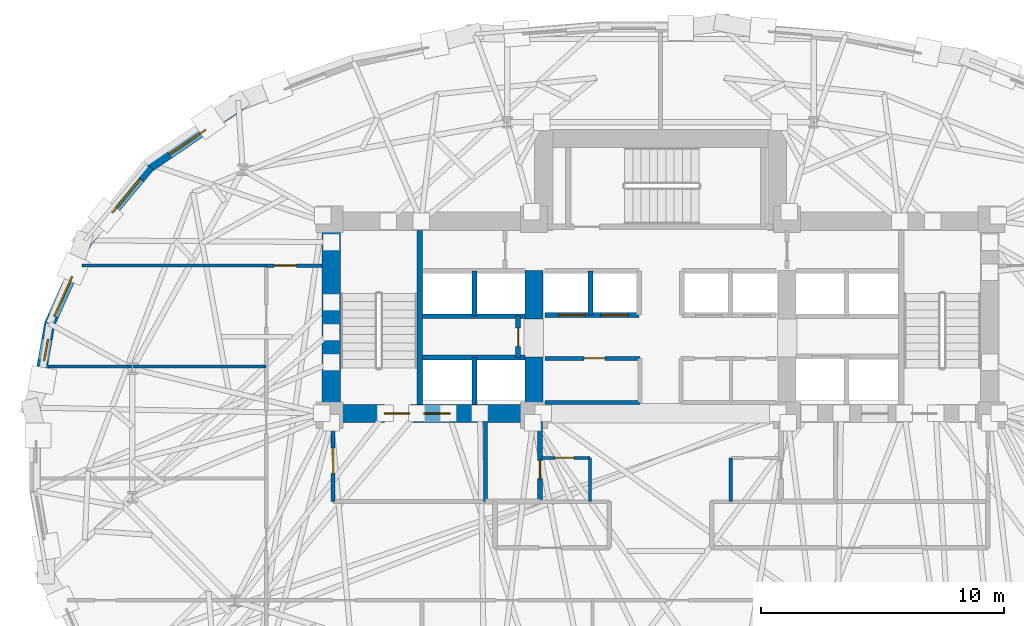
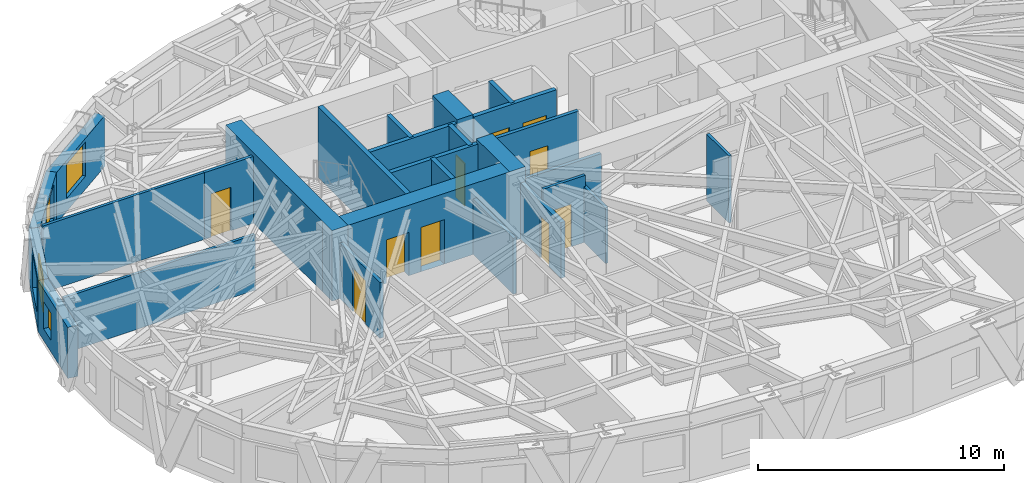
# One storey, part 7 of 14: 27 walls, 10 doors, 4 windows, 14 openings.
"""IFC4 building model written with IfcOpenShell, lengths in metres."""

from ifc_helpers import new_model, si_unit, direction, frame, frame_2d, origin, place, context, subcontext, project, spatial, rectangle, extrude, material, layer, layer_set, type_object, element, fill, save


model = new_model("IFC4")

# Units and contexts
model_context = context("Model", 3, precision=1e-05, world=origin(), true_north=direction((0.0, 1.0)))
body_context = subcontext(model_context, "Body", "Model", "MODEL_VIEW")
ifc_project = project(units=[si_unit("LENGTHUNIT", "METRE"), si_unit("AREAUNIT", "SQUARE_METRE"), si_unit("VOLUMEUNIT", "CUBIC_METRE"), si_unit("PLANEANGLEUNIT", "RADIAN"), si_unit("MASSUNIT", "GRAM", prefix="KILO")], contexts=[model_context])

# Site, building, storey
site_placement = place(None, origin())
site = spatial("IfcSite", under=ifc_project, at=site_placement, CompositionType="ELEMENT")
building_placement = place(site_placement, origin())
building = spatial("IfcBuilding", under=site, at=building_placement, Name="Keldmark Tower", CompositionType="ELEMENT")
storey_placement = place(building_placement, frame((0.0, 0.0, 124.60009765625)))
storey = spatial("IfcBuildingStorey", under=building, at=storey_placement, Name="L33", CompositionType="ELEMENT", Elevation=124.60009765625)

# Wall, opening, door
ifc_material_1 = material(Name="Acoustic Double-Layer Gypsum Corridor Partition", Category="gypsum")
ifc_layer_1 = layer(ifc_material_1, 0.139892578125)
ifc_layer_set_1 = layer_set([ifc_layer_1], Name="Acoustic Double-Layer Gypsum Corridor Partition")
wall_type_1 = type_object("IfcWallType", Name="Acoustic Corridor Partition 140 mm", PredefinedType="PARTITIONING", material=ifc_layer_set_1)
wall_1_placement = place(storey_placement, frame((-16.199951171875, 7.550048828125, 0.0), z_axis=(0.0, 0.0, 1.0), x_axis=(1.0, 0.0, 0.0)))
wall_1 = element("IfcWall", 1, at=wall_1_placement, inside=storey, type_object=wall_type_1, Name="L33 Acoustic Corridor Partition 140 mm COR-WN-CAP", PredefinedType="PARTITIONING", context=body_context, shape_type="SweptSolid", body=[
    extrude(rectangle(XDim=2.300048828125, YDim=0.139892578125, at=frame_2d((1.14990234375, 0.0))), origin(), (0.0, 0.0, 1.0), 3.309814453125),
])
opening_1_placement = place(wall_1_placement, frame((0.320068359375, 0.0, 0.0)))
opening_1 = element("IfcOpeningElement", 2, at=opening_1_placement, cuts=wall_1, Name="Opening D-EX092", PredefinedType="OPENING", context=body_context, shape_type="SweptSolid", body=[
    extrude(rectangle(XDim=0.919921875, YDim=2.14990234375, at=frame_2d((0.4599609375, 1.074951171875))), frame((0.0, 0.079833984375, 0.0), z_axis=(0.0, -1.0, 0.0), x_axis=(1.0, 0.0, 0.0)), (0.0, 0.0, 1.0), 0.159912109375),
])
ifc_material_2 = material(Name="Flush American Ash Executive Office Door", Category="wood")
door_type_1 = type_object("IfcDoorType", Name="Executive Office Door 920x2150", OperationType="NOTDEFINED", PredefinedType="DOOR", material=ifc_material_2)
door_1_placement = place(opening_1_placement, origin())
door_1 = element("IfcDoor", 3, at=door_1_placement, inside=storey, type_object=door_type_1, Name="L33 Executive Office Door 920x2150 D-NRNW-L33", OperationType="SINGLE_SWING_LEFT", OverallHeight=2.14990234375, OverallWidth=0.919921875, PredefinedType="DOOR", context=body_context, shape_type="SweptSolid", body=[
    extrude(rectangle(XDim=0.919921875, YDim=2.14990234375, at=frame_2d((0.4599609375, 1.074951171875))), frame((0.0, 0.02490234375, 0.0), z_axis=(0.0, -1.0, 0.0), x_axis=(1.0, 0.0, 0.0)), (0.0, 0.0, 1.0), 0.050048828125),
])
fill(opening_1, door_1)

ifc_material_3 = material(Name="Acoustic Gypsum Board Interior Partition", Category="gypsum")
ifc_layer_2 = layer(ifc_material_3, 0.1298828125)
ifc_layer_set_2 = layer_set([ifc_layer_2], Name="Acoustic Gypsum Board Interior Partition")
wall_type_2 = type_object("IfcWallType", Name="Interior Partition 130 mm", PredefinedType="PARTITIONING", material=ifc_layer_set_2)
wall_2_placement = place(storey_placement, frame((-4.8798828125, -0.35009765625, 0.0), z_axis=(0.0, 0.0, 1.0), x_axis=(1.0, 0.0, 0.0)))
wall_2 = element("IfcWall", 4, at=wall_2_placement, inside=storey, type_object=wall_type_2, Name="L33 Interior Partition 130 mm CSC-W-N", PredefinedType="PARTITIONING", context=body_context, shape_type="SweptSolid", body=[
    extrude(rectangle(XDim=1.989990234375, YDim=0.1298828125, at=frame_2d((0.9951171875, 0.0))), origin(), (0.0, 0.0, 1.0), 3.309814453125),
])
opening_2_placement = place(wall_2_placement, frame((0.550048828125, 0.0, 0.0)))
opening_2 = element("IfcOpeningElement", 5, at=opening_2_placement, cuts=wall_2, Name="Opening D-CL078", PredefinedType="OPENING", context=body_context, shape_type="SweptSolid", body=[
    extrude(rectangle(XDim=0.780029296875, YDim=2.10009765625, at=frame_2d((0.39013671875, 1.050048828125))), frame((0.0, 0.074951171875, 0.0), z_axis=(0.0, -1.0, 0.0), x_axis=(1.0, 0.0, 0.0)), (0.0, 0.0, 1.0), 0.14990234375),
])
ifc_material_4 = material(Name="Flush Utility Closet Timber Door", Category="wood")
door_type_2 = type_object("IfcDoorType", Name="Closet Door 780x2100", OperationType="NOTDEFINED", PredefinedType="DOOR", material=ifc_material_4)
door_2_placement = place(opening_2_placement, origin())
door_2 = element("IfcDoor", 6, at=door_2_placement, inside=storey, type_object=door_type_2, Name="L33 Closet Door 780x2100 D-CSCW1-L33", OperationType="SINGLE_SWING_RIGHT", OverallHeight=2.10009765625, OverallWidth=0.780029296875, PredefinedType="DOOR", context=body_context, shape_type="SweptSolid", body=[
    extrude(rectangle(XDim=0.780029296875, YDim=2.10009765625, at=frame_2d((0.39013671875, 1.050048828125))), frame((0.0, 0.02490234375, 0.0), z_axis=(0.0, -1.0, 0.0), x_axis=(1.0, 0.0, 0.0)), (0.0, 0.0, 1.0), 0.050048828125),
])
fill(opening_2, door_2)

# Walls
wall_3_placement = place(storey_placement, frame((-2.889892578125, -2.14990234375, 0.0), z_axis=(0.0, 0.0, 1.0), x_axis=(0.0, 1.0, 0.0)))
element("IfcWall", 7, at=wall_3_placement, inside=storey, type_object=wall_type_2, Name="L33 Interior Partition 130 mm CSC-W-E", PredefinedType="PARTITIONING", context=body_context, shape_type="SweptSolid", body=[
    extrude(rectangle(XDim=1.7998046875, YDim=0.1298828125, at=frame_2d((0.89990234375, 0.0))), origin(), (0.0, 0.0, 1.0), 2.762939453125),
])
wall_4_placement = place(storey_placement, frame((2.889892578125, -2.14990234375, 0.0), z_axis=(0.0, 0.0, 1.0), x_axis=(0.0, 1.0, 0.0)))
element("IfcWall", 8, at=wall_4_placement, inside=storey, type_object=wall_type_2, Name="L33 Interior Partition 130 mm CSC-E-W", PredefinedType="PARTITIONING", context=body_context, shape_type="SweptSolid", body=[
    extrude(rectangle(XDim=1.7998046875, YDim=0.1298828125, at=frame_2d((0.89990234375, 0.0))), origin(), (0.0, 0.0, 1.0), 3.309814453125),
])
wall_5_placement = place(storey_placement, frame((-23.768310546875, 7.550048828125, 0.0), z_axis=(0.0, 0.0, 1.0), x_axis=(1.0, 0.0, 0.0)))
element("IfcWall", 9, at=wall_5_placement, inside=storey, type_object=wall_type_2, Name="L33 Interior Partition 130 mm W-CAP-N", PredefinedType="PARTITIONING", context=body_context, shape_type="SweptSolid", body=[
    extrude(rectangle(XDim=7.568359375, YDim=0.1298828125, at=frame_2d((3.7841796875, 0.0))), origin(), (0.0, 0.0, 1.0), 3.309814453125),
])
wall_6_placement = place(storey_placement, frame((-25.176025390625, 3.39990234375, 0.0), z_axis=(0.0, 0.0, 1.0), x_axis=(1.0, 0.0, 0.0)))
element("IfcWall", 10, at=wall_6_placement, inside=storey, type_object=wall_type_2, Name="L33 Interior Partition 130 mm W-DIV-2", PredefinedType="PARTITIONING", context=body_context, shape_type="SweptSolid", body=[
    extrude(rectangle(XDim=8.97607421875, YDim=0.1298828125, at=frame_2d((4.488037109375, 0.0))), origin(), (0.0, 0.0, 1.0), 2.762939453125),
])
ifc_material_5 = material(Name="Concrete C70/85", Category="concrete")
ifc_layer_3 = layer(ifc_material_5, 0.75)
ifc_layer_set_3 = layer_set([ifc_layer_3], Name="Concrete C70/85")
wall_type_3 = type_object("IfcWallType", Name="Low-Mid Core Shear Wall 750 mm", PredefinedType="SHEAR", material=ifc_layer_set_3)
wall_7_placement = place(storey_placement, frame((-13.52490234375, 1.10009765625, 0.0), z_axis=(0.0, 0.0, 1.0), x_axis=(0.0, 1.0, 0.0)))
element("IfcWall", 11, at=wall_7_placement, inside=storey, type_object=wall_type_3, Name="L33 West Core Outer Shear Wall", PredefinedType="SHEAR", context=body_context, shape_type="SweptSolid", body=[
    extrude(rectangle(XDim=8.64990234375, YDim=0.75, at=frame_2d((4.324951171875, 0.0))), origin(), (0.0, 0.0, 1.0), 3.5),
])

# Wall, openings, doors
wall_8_placement = place(storey_placement, frame((-4.824951171875, 1.47509765625, 0.0), z_axis=(0.0, 0.0, 1.0), x_axis=(-1.0, 0.0, 0.0)))
wall_8 = element("IfcWall", 12, at=wall_8_placement, inside=storey, type_object=wall_type_3, Name="L33 West Core South Shear Wall", PredefinedType="SHEAR", context=body_context, shape_type="SweptSolid", body=[
    extrude(rectangle(XDim=9.074951171875, YDim=0.75, at=frame_2d((4.53759765625, 0.0))), origin(), (0.0, 0.0, 1.0), 3.5),
])
opening_3_placement = place(wall_8_placement, frame((5.47509765625, 0.0, 0.0)))
opening_3 = element("IfcOpeningElement", 13, at=opening_3_placement, cuts=wall_8, Name="Opening D-ST105", PredefinedType="OPENING", context=body_context, shape_type="SweptSolid", body=[
    extrude(rectangle(XDim=1.050048828125, YDim=2.14990234375, at=frame_2d((0.52490234375, 1.074951171875))), frame((0.0, 0.385009765625, 0.0), z_axis=(0.0, -1.0, 0.0), x_axis=(1.0, 0.0, 0.0)), (0.0, 0.0, 1.0), 0.77001953125),
])
opening_4_placement = place(wall_8_placement, frame((3.804931640625, 0.0, 0.0)))
opening_4 = element("IfcOpeningElement", 14, at=opening_4_placement, cuts=wall_8, Name="Opening LD-110", PredefinedType="OPENING", context=body_context, shape_type="SweptSolid", body=[
    extrude(rectangle(XDim=1.10009765625, YDim=2.199951171875, at=frame_2d((0.550048828125, 1.10009765625))), frame((0.0, 0.385009765625, 0.0), z_axis=(0.0, -1.0, 0.0), x_axis=(1.0, 0.0, 0.0)), (0.0, 0.0, 1.0), 0.77001953125),
])
ifc_material_6 = material(Name="Brushed Bronze Hoistway Sliding Leaf", Category="metal")
door_type_3 = type_object("IfcDoorType", Name="Lift Landing Sliding Door 1100x2200", OperationType="SLIDING_TO_LEFT", PredefinedType="DOOR", material=ifc_material_6)
door_3_placement = place(opening_4_placement, origin())
door_3 = element("IfcDoor", 15, at=door_3_placement, inside=storey, type_object=door_type_3, Name="L33 Lift Landing Sliding Door 1100x2200 LD-EL-FS1-L33", OperationType="SLIDING_TO_LEFT", OverallHeight=2.199951171875, OverallWidth=1.10009765625, PredefinedType="DOOR", context=body_context, shape_type="SweptSolid", body=[
    extrude(rectangle(XDim=1.10009765625, YDim=2.199951171875, at=frame_2d((0.550048828125, 1.10009765625))), frame((0.0, 0.02490234375, 0.0), z_axis=(0.0, -1.0, 0.0), x_axis=(1.0, 0.0, 0.0)), (0.0, 0.0, 1.0), 0.050048828125),
])
fill(opening_4, door_3)
ifc_material_7 = material(Name="Hollow Metal Fire-Rated Door Assembly", Category="metal")
door_type_4 = type_object("IfcDoorType", Name="Stair Fire Door 1050x2150", OperationType="NOTDEFINED", PredefinedType="DOOR", material=ifc_material_7)
door_4_placement = place(opening_3_placement, origin())
door_4 = element("IfcDoor", 16, at=door_4_placement, inside=storey, type_object=door_type_4, Name="L33 Stair Fire Door 1050x2150 D-ST1-L33", OperationType="SINGLE_SWING_RIGHT", OverallHeight=2.14990234375, OverallWidth=1.050048828125, PredefinedType="DOOR", context=body_context, shape_type="SweptSolid", body=[
    extrude(rectangle(XDim=1.050048828125, YDim=2.14990234375, at=frame_2d((0.52490234375, 1.074951171875))), frame((0.0, 0.02490234375, 0.0), z_axis=(0.0, -1.0, 0.0), x_axis=(1.0, 0.0, 0.0)), (0.0, 0.0, 1.0), 0.050048828125),
])
fill(opening_3, door_4)

# Walls
wall_9_placement = place(storey_placement, frame((-5.199951171875, 1.10009765625, 0.0), z_axis=(0.0, 0.0, 1.0), x_axis=(0.0, 1.0, 0.0)))
element("IfcWall", 17, at=wall_9_placement, inside=storey, type_object=wall_type_3, Name="L33 West Core Inner Shear Pier South", PredefinedType="SHEAR", context=body_context, shape_type="SweptSolid", body=[
    extrude(rectangle(XDim=2.699951171875, YDim=0.75, at=frame_2d((1.35009765625, 0.0))), origin(), (0.0, 0.0, 1.0), 3.5),
])
wall_10_placement = place(storey_placement, frame((-5.199951171875, 5.35009765625, 0.0), z_axis=(0.0, 0.0, 1.0), x_axis=(0.0, 1.0, 0.0)))
element("IfcWall", 18, at=wall_10_placement, inside=storey, type_object=wall_type_3, Name="L33 West Core Inner Shear Pier North", PredefinedType="SHEAR", context=body_context, shape_type="SweptSolid", body=[
    extrude(rectangle(XDim=2.0, YDim=0.75, at=frame_2d((1.0, 0.0))), origin(), (0.0, 0.0, 1.0), 3.5),
])

# Wall, opening, door
ifc_material_8 = material(Name="Type X Fire-Rated Gypsum Partition Assembly", Category="gypsum")
ifc_layer_4 = layer(ifc_material_8, 0.1650390625)
ifc_layer_set_4 = layer_set([ifc_layer_4], Name="Type X Fire-Rated Gypsum Partition Assembly")
wall_type_4 = type_object("IfcWallType", Name="Rated Partition 165 mm", PredefinedType="PARTITIONING", material=ifc_layer_set_4)
wall_11_placement = place(storey_placement, frame((-13.449951171875, -2.14990234375, 0.0), z_axis=(0.0, 0.0, 1.0), x_axis=(0.0, 1.0, 0.0)))
wall_11 = element("IfcWall", 19, at=wall_11_placement, inside=storey, type_object=wall_type_4, Name="L33 Rated Partition 165 mm FSAE-W-W", PredefinedType="PARTITIONING", context=body_context, shape_type="SweptSolid", body=[
    extrude(rectangle(XDim=3.2998046875, YDim=0.1650390625, at=frame_2d((1.64990234375, 0.0))), origin(), (0.0, 0.0, 1.0), 2.762939453125),
])
opening_5_placement = place(wall_11_placement, frame((1.14990234375, 0.0, 0.0)))
opening_5 = element("IfcOpeningElement", 20, at=opening_5_placement, cuts=wall_11, Name="Opening D-FL105", PredefinedType="OPENING", context=body_context, shape_type="SweptSolid", body=[
    extrude(rectangle(XDim=1.050048828125, YDim=2.14990234375, at=frame_2d((0.52490234375, 1.074951171875))), frame((0.0, 0.092529296875, 0.0), z_axis=(0.0, -1.0, 0.0), x_axis=(1.0, 0.0, 0.0)), (0.0, 0.0, 1.0), 0.18505859375),
])
ifc_material_9 = material(Name="Fire-Rated Mineral-Core Door and Vision Lite", Category="metal")
door_type_5 = type_object("IfcDoorType", Name="Fire Lobby Door 1050x2150", OperationType="NOTDEFINED", PredefinedType="DOOR", material=ifc_material_9)
door_5_placement = place(opening_5_placement, origin())
door_5 = element("IfcDoor", 21, at=door_5_placement, inside=storey, type_object=door_type_5, Name="L33 Fire Lobby Door 1050x2150 D-FSAEW-OUT-L33", OperationType="SINGLE_SWING_LEFT", OverallHeight=2.14990234375, OverallWidth=1.050048828125, PredefinedType="DOOR", context=body_context, shape_type="SweptSolid", body=[
    extrude(rectangle(XDim=1.050048828125, YDim=2.14990234375, at=frame_2d((0.52490234375, 1.074951171875))), frame((0.0, 0.02490234375, 0.0), z_axis=(0.0, -1.0, 0.0), x_axis=(1.0, 0.0, 0.0)), (0.0, 0.0, 1.0), 0.050048828125),
])
fill(opening_5, door_5)

# Walls
wall_12_placement = place(storey_placement, frame((-7.199951171875, -2.14990234375, 0.0), z_axis=(0.0, 0.0, 1.0), x_axis=(0.0, 1.0, 0.0)))
element("IfcWall", 22, at=wall_12_placement, inside=storey, type_object=wall_type_4, Name="L33 Rated Partition 165 mm FSAE-W-E", PredefinedType="PARTITIONING", context=body_context, shape_type="SweptSolid", body=[
    extrude(rectangle(XDim=3.2998046875, YDim=0.1650390625, at=frame_2d((1.64990234375, 0.0))), origin(), (0.0, 0.0, 1.0), 2.762939453125),
])
wall_13_placement = place(storey_placement, frame((-4.739990234375, 1.919921875, 0.0), z_axis=(0.0, 0.0, 1.0), x_axis=(1.0, 0.0, 0.0)))
element("IfcWall", 23, at=wall_13_placement, inside=storey, type_object=wall_type_4, Name="L33 Rated Partition 165 mm REC-LW-S", PredefinedType="PARTITIONING", context=body_context, shape_type="SweptSolid", body=[
    extrude(rectangle(XDim=3.889892578125, YDim=0.1650390625, at=frame_2d((1.94482421875, 0.0))), origin(), (0.0, 0.0, 1.0), 2.2998046875),
])

# Wall, opening, door
wall_14_placement = place(storey_placement, frame((-4.739990234375, 3.739990234375, 0.0), z_axis=(0.0, 0.0, 1.0), x_axis=(1.0, 0.0, 0.0)))
wall_14 = element("IfcWall", 24, at=wall_14_placement, inside=storey, type_object=wall_type_4, Name="L33 Rated Partition 165 mm REC-LW-N", PredefinedType="PARTITIONING", context=body_context, shape_type="SweptSolid", body=[
    extrude(rectangle(XDim=3.889892578125, YDim=0.1650390625, at=frame_2d((1.94482421875, 0.0))), origin(), (0.0, 0.0, 1.0), 3.309814453125),
])
opening_6_placement = place(wall_14_placement, frame((1.60009765625, 0.0, 0.0)))
opening_6 = element("IfcOpeningElement", 25, at=opening_6_placement, cuts=wall_14, Name="Opening D-SV085", PredefinedType="OPENING", context=body_context, shape_type="SweptSolid", body=[
    extrude(rectangle(XDim=0.85009765625, YDim=2.10009765625, at=frame_2d((0.425048828125, 1.050048828125))), frame((0.0, 0.092529296875, 0.0), z_axis=(0.0, -1.0, 0.0), x_axis=(1.0, 0.0, 0.0)), (0.0, 0.0, 1.0), 0.18505859375),
])
ifc_material_10 = material(Name="Painted Hollow Metal Door Assembly", Category="metal")
door_type_6 = type_object("IfcDoorType", Name="Service Door 850x2100", OperationType="NOTDEFINED", PredefinedType="DOOR", material=ifc_material_10)
door_6_placement = place(opening_6_placement, origin())
door_6 = element("IfcDoor", 26, at=door_6_placement, inside=storey, type_object=door_type_6, Name="L33 Service Door 850x2100 D-RECLW1-L33", OperationType="SINGLE_SWING_LEFT", OverallHeight=2.10009765625, OverallWidth=0.85009765625, PredefinedType="DOOR", context=body_context, shape_type="SweptSolid", body=[
    extrude(rectangle(XDim=0.85009765625, YDim=2.10009765625, at=frame_2d((0.425048828125, 1.050048828125))), frame((0.0, 0.02490234375, 0.0), z_axis=(0.0, -1.0, 0.0), x_axis=(1.0, 0.0, 0.0)), (0.0, 0.0, 1.0), 0.050048828125),
])
fill(opening_6, door_6)

ifc_material_11 = material(Name="Fire-Resistant Type X Gypsum Shaftliner Coreboard", Category="gypsum")
ifc_layer_5 = layer(ifc_material_11, 0.199951171875)
ifc_layer_set_5 = layer_set([ifc_layer_5], Name="Fire-Resistant Type X Gypsum Shaftliner Coreboard")
wall_type_5 = type_object("IfcWallType", Name="Shaft Wall 200 mm", PredefinedType="SOLIDWALL", material=ifc_layer_set_5)
wall_15_placement = place(storey_placement, frame((-4.949951171875, -2.14990234375, 0.0), z_axis=(0.0, 0.0, 1.0), x_axis=(0.0, 1.0, 0.0)))
wall_15 = element("IfcWall", 27, at=wall_15_placement, inside=storey, type_object=wall_type_5, Name="L33 Shaft Wall 200 mm RIS-SW-E", PredefinedType="SOLIDWALL", context=body_context, shape_type="SweptSolid", body=[
    extrude(rectangle(XDim=3.2998046875, YDim=0.199951171875, at=frame_2d((1.64990234375, 0.0))), origin(), (0.0, 0.0, 1.0), 2.762939453125),
])
opening_7_placement = place(wall_15_placement, frame((0.949951171875, 0.0, 0.0)))
opening_7 = element("IfcOpeningElement", 28, at=opening_7_placement, cuts=wall_15, Name="Opening D-RS075", PredefinedType="OPENING", context=body_context, shape_type="SweptSolid", body=[
    extrude(rectangle(XDim=0.75, YDim=2.10009765625, at=frame_2d((0.375, 1.050048828125))), frame((0.0, 0.10986328125, 0.0), z_axis=(0.0, -1.0, 0.0), x_axis=(1.0, 0.0, 0.0)), (0.0, 0.0, 1.0), 0.219970703125),
])
ifc_material_12 = material(Name="Galvanized Fire-Rated Access Leaf", Category="metal")
door_type_7 = type_object("IfcDoorType", Name="Riser Access Door 750x2100", OperationType="NOTDEFINED", PredefinedType="DOOR", material=ifc_material_12)
door_7_placement = place(opening_7_placement, origin())
door_7 = element("IfcDoor", 29, at=door_7_placement, inside=storey, type_object=door_type_7, Name="L33 Riser Access Door 750x2100 D-RISSW-L33", OperationType="SINGLE_SWING_RIGHT", OverallHeight=2.10009765625, OverallWidth=0.75, PredefinedType="DOOR", context=body_context, shape_type="SweptSolid", body=[
    extrude(rectangle(XDim=0.75, YDim=2.10009765625, at=frame_2d((0.375, 1.050048828125))), frame((0.0, 0.02490234375, 0.0), z_axis=(0.0, -1.0, 0.0), x_axis=(1.0, 0.0, 0.0)), (0.0, 0.0, 1.0), 0.050048828125),
])
fill(opening_7, door_7)

# Walls
wall_16_placement = place(storey_placement, frame((-9.780029296875, 3.780029296875, 0.0), z_axis=(0.0, 0.0, 1.0), x_axis=(1.0, 0.0, 0.0)))
element("IfcWall", 30, at=wall_16_placement, inside=storey, type_object=wall_type_5, Name="L33 Shaft Wall 200 mm HW-W-S", PredefinedType="SOLIDWALL", context=body_context, shape_type="SweptSolid", body=[
    extrude(rectangle(XDim=4.205078125, YDim=0.199951171875, at=frame_2d((2.1025390625, 0.0))), origin(), (0.0, 0.0, 1.0), 3.309814453125),
])
wall_17_placement = place(storey_placement, frame((-7.64990234375, 1.85009765625, 0.0), z_axis=(0.0, 0.0, 1.0), x_axis=(0.0, 1.0, 0.0)))
element("IfcWall", 31, at=wall_17_placement, inside=storey, type_object=wall_type_5, Name="L33 Shaft Wall 200 mm HW-W-M", PredefinedType="SOLIDWALL", context=body_context, shape_type="SweptSolid", body=[
    extrude(rectangle(XDim=1.929931640625, YDim=0.199951171875, at=frame_2d((0.96484375, 0.0))), origin(), (0.0, 0.0, 1.0), 3.309814453125),
])
wall_18_placement = place(storey_placement, frame((-9.780029296875, 5.469970703125, 0.0), z_axis=(0.0, 0.0, 1.0), x_axis=(1.0, 0.0, 0.0)))
element("IfcWall", 32, at=wall_18_placement, inside=storey, type_object=wall_type_5, Name="L33 Shaft Wall 200 mm HW-W-N", PredefinedType="SOLIDWALL", context=body_context, shape_type="SweptSolid", body=[
    extrude(rectangle(XDim=4.205078125, YDim=0.199951171875, at=frame_2d((2.1025390625, 0.0))), origin(), (0.0, 0.0, 1.0), 3.309814453125),
])
wall_19_placement = place(storey_placement, frame((-7.64990234375, 5.469970703125, 0.0), z_axis=(0.0, 0.0, 1.0), x_axis=(0.0, 1.0, 0.0)))
element("IfcWall", 33, at=wall_19_placement, inside=storey, type_object=wall_type_5, Name="L33 Shaft Wall 200 mm HW-W-NM", PredefinedType="SOLIDWALL", context=body_context, shape_type="SweptSolid", body=[
    extrude(rectangle(XDim=1.860107421875, YDim=0.199951171875, at=frame_2d((0.93017578125, 0.0))), origin(), (0.0, 0.0, 1.0), 3.309814453125),
])

# Wall, opening, door
wall_20_placement = place(storey_placement, frame((-5.85009765625, 3.780029296875, 0.0), z_axis=(0.0, 0.0, 1.0), x_axis=(0.0, 1.0, 0.0)))
wall_20 = element("IfcWall", 34, at=wall_20_placement, inside=storey, type_object=wall_type_5, Name="L33 Shaft Wall 200 mm HW-W-CLOSE", PredefinedType="SOLIDWALL", context=body_context, shape_type="SweptSolid", body=[
    extrude(rectangle(XDim=1.68994140625, YDim=0.199951171875, at=frame_2d((0.844970703125, 0.0))), origin(), (0.0, 0.0, 1.0), 3.309814453125),
])
opening_8_placement = place(wall_20_placement, frame((0.449951171875, 0.0, 0.0)))
opening_8 = element("IfcOpeningElement", 35, at=opening_8_placement, cuts=wall_20, Name="Opening D-RS075", PredefinedType="OPENING", context=body_context, shape_type="SweptSolid", body=[
    extrude(rectangle(XDim=0.75, YDim=2.10009765625, at=frame_2d((0.375, 1.050048828125))), frame((0.0, 0.10986328125, 0.0), z_axis=(0.0, -1.0, 0.0), x_axis=(1.0, 0.0, 0.0)), (0.0, 0.0, 1.0), 0.219970703125),
])
door_8_placement = place(opening_8_placement, origin())
door_8 = element("IfcDoor", 36, at=door_8_placement, inside=storey, type_object=door_type_7, Name="L33 Riser Access Door 750x2100 D-RISHW-L33", OperationType="SINGLE_SWING_RIGHT", OverallHeight=2.10009765625, OverallWidth=0.75, PredefinedType="DOOR", context=body_context, shape_type="SweptSolid", body=[
    extrude(rectangle(XDim=0.75, YDim=2.10009765625, at=frame_2d((0.375, 1.050048828125))), frame((0.0, 0.02490234375, 0.0), z_axis=(0.0, -1.0, 0.0), x_axis=(1.0, 0.0, 0.0)), (0.0, 0.0, 1.0), 0.050048828125),
])
fill(opening_8, door_8)

# Wall, openings, doors
wall_21_placement = place(storey_placement, frame((-4.739990234375, 5.52001953125, 0.0), z_axis=(0.0, 0.0, 1.0), x_axis=(1.0, 0.0, 0.0)))
wall_21 = element("IfcWall", 37, at=wall_21_placement, inside=storey, type_object=wall_type_5, Name="L33 Shaft Wall 200 mm MID-S-W", PredefinedType="SOLIDWALL", context=body_context, shape_type="SweptSolid", body=[
    extrude(rectangle(XDim=3.860107421875, YDim=0.199951171875, at=frame_2d((1.93017578125, 0.0))), origin(), (0.0, 0.0, 1.0), 3.309814453125),
])
opening_9_placement = place(wall_21_placement, frame((0.550048828125, 0.0, 0.0)))
opening_9 = element("IfcOpeningElement", 38, at=opening_9_placement, cuts=wall_21, Name="Opening LD-110", PredefinedType="OPENING", context=body_context, shape_type="SweptSolid", body=[
    extrude(rectangle(XDim=1.10009765625, YDim=2.199951171875, at=frame_2d((0.550048828125, 1.10009765625))), frame((0.0, 0.10986328125, 0.0), z_axis=(0.0, -1.0, 0.0), x_axis=(1.0, 0.0, 0.0)), (0.0, 0.0, 1.0), 0.219970703125),
])
opening_10_placement = place(wall_21_placement, frame((2.300048828125, 0.0, 0.0)))
opening_10 = element("IfcOpeningElement", 39, at=opening_10_placement, cuts=wall_21, Name="Opening LD-110", PredefinedType="OPENING", context=body_context, shape_type="SweptSolid", body=[
    extrude(rectangle(XDim=1.10009765625, YDim=2.199951171875, at=frame_2d((0.550048828125, 1.10009765625))), frame((0.0, 0.10986328125, 0.0), z_axis=(0.0, -1.0, 0.0), x_axis=(1.0, 0.0, 0.0)), (0.0, 0.0, 1.0), 0.219970703125),
])
door_9_placement = place(opening_9_placement, origin())
door_9 = element("IfcDoor", 40, at=door_9_placement, inside=storey, type_object=door_type_3, Name="L33 Lift Landing Sliding Door 1100x2200 LD-EL-M1-L33", OperationType="SLIDING_TO_LEFT", OverallHeight=2.199951171875, OverallWidth=1.10009765625, PredefinedType="DOOR", context=body_context, shape_type="SweptSolid", body=[
    extrude(rectangle(XDim=1.10009765625, YDim=2.199951171875, at=frame_2d((0.550048828125, 1.10009765625))), frame((0.0, 0.02490234375, 0.0), z_axis=(0.0, -1.0, 0.0), x_axis=(1.0, 0.0, 0.0)), (0.0, 0.0, 1.0), 0.050048828125),
])
fill(opening_9, door_9)
door_10_placement = place(opening_10_placement, origin())
door_10 = element("IfcDoor", 41, at=door_10_placement, inside=storey, type_object=door_type_3, Name="L33 Lift Landing Sliding Door 1100x2200 LD-EL-M2-L33", OperationType="SLIDING_TO_LEFT", OverallHeight=2.199951171875, OverallWidth=1.10009765625, PredefinedType="DOOR", context=body_context, shape_type="SweptSolid", body=[
    extrude(rectangle(XDim=1.10009765625, YDim=2.199951171875, at=frame_2d((0.550048828125, 1.10009765625))), frame((0.0, 0.02490234375, 0.0), z_axis=(0.0, -1.0, 0.0), x_axis=(1.0, 0.0, 0.0)), (0.0, 0.0, 1.0), 0.050048828125),
])
fill(opening_10, door_10)

# Walls
wall_22_placement = place(storey_placement, frame((-2.8798828125, 5.52001953125, 0.0), z_axis=(0.0, 0.0, 1.0), x_axis=(0.0, 1.0, 0.0)))
element("IfcWall", 42, at=wall_22_placement, inside=storey, type_object=wall_type_5, Name="L33 Shaft Wall 200 mm MID-M-W", PredefinedType="SOLIDWALL", context=body_context, shape_type="SweptSolid", body=[
    extrude(rectangle(XDim=1.81005859375, YDim=0.199951171875, at=frame_2d((0.905029296875, 0.0))), origin(), (0.0, 0.0, 1.0), 3.309814453125),
])
ifc_material_13 = material(Name="Concrete C50/60", Category="concrete")
ifc_layer_6 = layer(ifc_material_13, 0.219970703125)
ifc_layer_set_6 = layer_set([ifc_layer_6], Name="Concrete C50/60")
wall_type_6 = type_object("IfcWallType", Name="Stair Core Shear Wall 220 mm", PredefinedType="SHEAR", material=ifc_layer_set_6)
wall_23_placement = place(storey_placement, frame((-9.889892578125, 1.85009765625, 0.0), z_axis=(0.0, 0.0, 1.0), x_axis=(0.0, 1.0, 0.0)))
element("IfcWall", 43, at=wall_23_placement, inside=storey, type_object=wall_type_6, Name="L33 West Stair Core Shear Wall", PredefinedType="SHEAR", context=body_context, shape_type="SweptSolid", body=[
    extrude(rectangle(XDim=7.14990234375, YDim=0.219970703125, at=frame_2d((3.574951171875, 0.0))), origin(), (0.0, 0.0, 1.0), 3.5),
])

# Wall, opening, window
ifc_material_14 = material(Name="Ironspot Manganese Brick and Kasota Buff Limestone Spandrel Assembly", Category="masonry")
ifc_layer_7 = layer(ifc_material_14, 0.43994140625)
ifc_layer_set_7 = layer_set([ifc_layer_7], Name="Ironspot Manganese Brick and Kasota Buff Limestone Spandrel Assembly")
wall_type_7 = type_object("IfcWallType", Name="Tower Brick Pier and Spandrel Wall 440 mm", PredefinedType="STANDARD", material=ifc_layer_set_7)
wall_24_placement = place(storey_placement, frame((-21.02978515625, 11.587890625, 0.0), z_axis=(0.0, 0.0, 1.0), x_axis=(0.827672849676, 0.561210881852, 0.0)))
wall_24 = element("IfcWall", 44, at=wall_24_placement, inside=storey, type_object=wall_type_7, Name="L33 Exterior Brick and Spandrel Wall 12", PredefinedType="STANDARD", context=body_context, shape_type="SweptSolid", body=[
    extrude(rectangle(XDim=4.5830078125, YDim=0.43994140625, at=frame_2d((2.29150390625, 0.0))), origin(), (0.0, 0.0, 1.0), 2.52783203125),
])
opening_11_placement = place(wall_24_placement, frame((0.994384765625, 0.0, 0.64990234375)))
opening_11 = element("IfcOpeningElement", 45, at=opening_11_placement, cuts=wall_24, Name="Opening W-02", PredefinedType="OPENING", context=body_context, shape_type="SweptSolid", body=[
    extrude(rectangle(XDim=1.800048828125, YDim=1.699951171875, at=frame_2d((0.89990234375, 0.85009765625))), frame((0.0, 0.22998046875, 0.0), z_axis=(0.0, -1.0, 0.0), x_axis=(1.0, 0.0, 0.0)), (0.0, 0.0, 1.0), 0.4599609375),
])
ifc_material_15 = material(Name="Thermally Broken Anodized Aluminum and Triple Low-E Argon Glazing", Category="aluminium")
window_type_1 = type_object("IfcWindowType", Name="Office Deep-Set Triple Window 1800x1700", PartitioningType="TRIPLE_PANEL_VERTICAL", PredefinedType="WINDOW", material=ifc_material_15)
window_1_placement = place(opening_11_placement, origin())
window_1 = element("IfcWindow", 46, at=window_1_placement, inside=storey, type_object=window_type_1, Name="L33 Deep-Set Window 12", OverallHeight=1.699951171875, OverallWidth=1.800048828125, PartitioningType="SINGLE_PANEL", PredefinedType="WINDOW", context=body_context, shape_type="SweptSolid", body=[
    extrude(rectangle(XDim=1.800048828125, YDim=1.699951171875, at=frame_2d((0.89990234375, 0.85009765625))), frame((0.0, -0.010009765625, 0.0), z_axis=(0.0, -1.0, 0.0), x_axis=(1.0, 0.0, 0.0)), (0.0, 0.0, 1.0), 0.06005859375),
])
fill(opening_11, window_1)

wall_25_placement = place(storey_placement, frame((-23.61083984375, 8.476806640625, 0.0), z_axis=(0.0, 0.0, 1.0), x_axis=(0.640084904994, 0.768304180906, 0.0)))
wall_25 = element("IfcWall", 47, at=wall_25_placement, inside=storey, type_object=wall_type_7, Name="L33 Exterior Brick and Spandrel Wall 13", PredefinedType="STANDARD", context=body_context, shape_type="SweptSolid", body=[
    extrude(rectangle(XDim=4.103271484375, YDim=0.43994140625, at=frame_2d((2.0517578125, 0.0))), origin(), (0.0, 0.0, 1.0), 2.52783203125),
])
opening_12_placement = place(wall_25_placement, frame((1.6640625, 0.0, 0.64990234375)))
opening_12 = element("IfcOpeningElement", 48, at=opening_12_placement, cuts=wall_25, Name="Opening W-02", PredefinedType="OPENING", context=body_context, shape_type="SweptSolid", body=[
    extrude(rectangle(XDim=1.800048828125, YDim=1.699951171875, at=frame_2d((0.89990234375, 0.85009765625))), frame((0.0, 0.22998046875, 0.0), z_axis=(0.0, -1.0, 0.0), x_axis=(1.0, 0.0, 0.0)), (0.0, 0.0, 1.0), 0.4599609375),
])
window_2_placement = place(opening_12_placement, origin())
window_2 = element("IfcWindow", 49, at=window_2_placement, inside=storey, type_object=window_type_1, Name="L33 Deep-Set Window 13", OverallHeight=1.699951171875, OverallWidth=1.800048828125, PartitioningType="SINGLE_PANEL", PredefinedType="WINDOW", context=body_context, shape_type="SweptSolid", body=[
    extrude(rectangle(XDim=1.800048828125, YDim=1.699951171875, at=frame_2d((0.89990234375, 0.85009765625))), frame((0.0, -0.010009765625, 0.0), z_axis=(0.0, -1.0, 0.0), x_axis=(1.0, 0.0, 0.0)), (0.0, 0.0, 1.0), 0.06005859375),
])
fill(opening_12, window_2)

wall_26_placement = place(storey_placement, frame((-25.112060546875, 5.11572265625, 0.0), z_axis=(0.0, 0.0, 1.0), x_axis=(0.409835385481, 0.912159501846, 0.0)))
wall_26 = element("IfcWall", 50, at=wall_26_placement, inside=storey, type_object=wall_type_7, Name="L33 Exterior Brick and Spandrel Wall 14", PredefinedType="STANDARD", context=body_context, shape_type="SweptSolid", body=[
    extrude(rectangle(XDim=3.740478515625, YDim=0.43994140625, at=frame_2d((1.8701171875, 0.0))), origin(), (0.0, 0.0, 1.0), 2.52783203125),
])
opening_13_placement = place(wall_26_placement, frame((0.398681640625, 0.0, 0.64990234375)))
opening_13 = element("IfcOpeningElement", 51, at=opening_13_placement, cuts=wall_26, Name="Opening W-02", PredefinedType="OPENING", context=body_context, shape_type="SweptSolid", body=[
    extrude(rectangle(XDim=1.800048828125, YDim=1.699951171875, at=frame_2d((0.89990234375, 0.85009765625))), frame((0.0, 0.22998046875, 0.0), z_axis=(0.0, -1.0, 0.0), x_axis=(1.0, 0.0, 0.0)), (0.0, 0.0, 1.0), 0.4599609375),
])
window_3_placement = place(opening_13_placement, origin())
window_3 = element("IfcWindow", 52, at=window_3_placement, inside=storey, type_object=window_type_1, Name="L33 Deep-Set Window 14", OverallHeight=1.699951171875, OverallWidth=1.800048828125, PartitioningType="SINGLE_PANEL", PredefinedType="WINDOW", context=body_context, shape_type="SweptSolid", body=[
    extrude(rectangle(XDim=1.800048828125, YDim=1.699951171875, at=frame_2d((0.89990234375, 0.85009765625))), frame((0.0, -0.010009765625, 0.0), z_axis=(0.0, -1.0, 0.0), x_axis=(1.0, 0.0, 0.0)), (0.0, 0.0, 1.0), 0.06005859375),
])
fill(opening_13, window_3)

wall_27_placement = place(storey_placement, frame((-25.70849609375, 1.693115234375, 0.0), z_axis=(0.0, 0.0, 1.0), x_axis=(0.173615589384, 0.98481349865, 0.0)))
wall_27 = element("IfcWall", 53, at=wall_27_placement, inside=storey, type_object=wall_type_7, Name="L33 Exterior Brick and Spandrel Wall 15", PredefinedType="STANDARD", context=body_context, shape_type="SweptSolid", body=[
    extrude(rectangle(XDim=3.528076171875, YDim=0.43994140625, at=frame_2d((1.76416015625, 0.0))), origin(), (0.0, 0.0, 1.0), 2.52783203125),
])
opening_14_placement = place(wall_27_placement, frame((1.982666015625, 0.0, 0.580078125)))
opening_14 = element("IfcOpeningElement", 54, at=opening_14_placement, cuts=wall_27, Name="Opening W-09", PredefinedType="OPENING", context=body_context, shape_type="SweptSolid", body=[
    extrude(rectangle(XDim=0.89990234375, YDim=1.35009765625, at=frame_2d((0.449951171875, 0.675048828125))), frame((0.0, 0.22998046875, 0.0), z_axis=(0.0, -1.0, 0.0), x_axis=(1.0, 0.0, 0.0)), (0.0, 0.0, 1.0), 0.4599609375),
])
ifc_material_16 = material(Name="Thermally Broken Anodized Aluminum and Triple Low-E Argon Glazing", Category="aluminium")
window_type_2 = type_object("IfcWindowType", Name="Corner Pier Deep-Set Window 900x1350", PartitioningType="SINGLE_PANEL", PredefinedType="WINDOW", material=ifc_material_16)
window_4_placement = place(opening_14_placement, origin())
window_4 = element("IfcWindow", 55, at=window_4_placement, inside=storey, type_object=window_type_2, Name="L33 Deep-Set Window 15", OverallHeight=1.35009765625, OverallWidth=0.89990234375, PartitioningType="SINGLE_PANEL", PredefinedType="WINDOW", context=body_context, shape_type="SweptSolid", body=[
    extrude(rectangle(XDim=0.89990234375, YDim=1.35009765625, at=frame_2d((0.449951171875, 0.675048828125))), frame((0.0, -0.010009765625, 0.0), z_axis=(0.0, -1.0, 0.0), x_axis=(1.0, 0.0, 0.0)), (0.0, 0.0, 1.0), 0.06005859375),
])
fill(opening_14, window_4)

save(model, "model.ifc")
